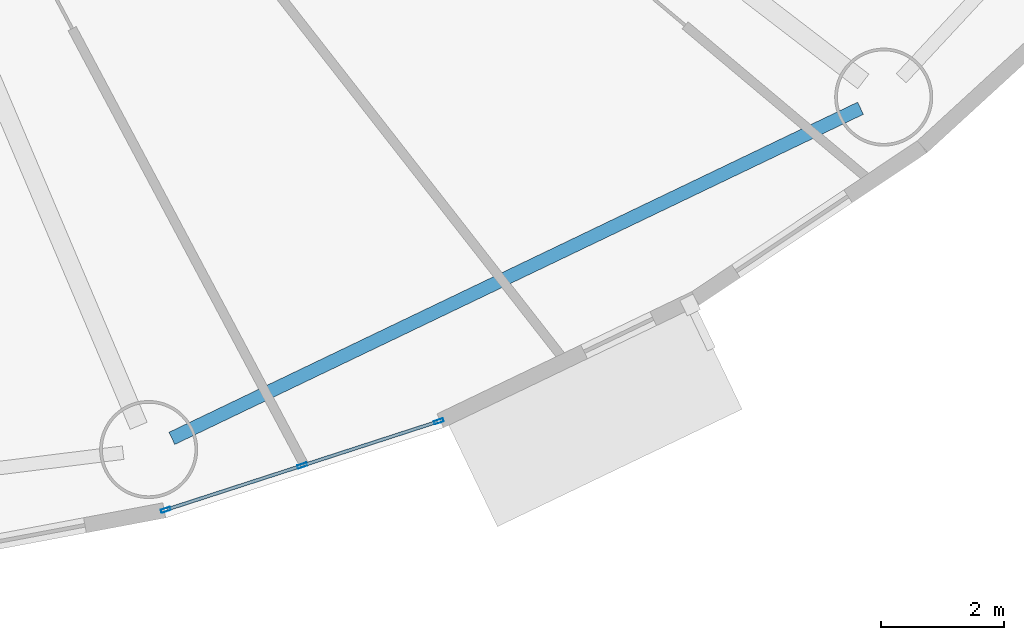
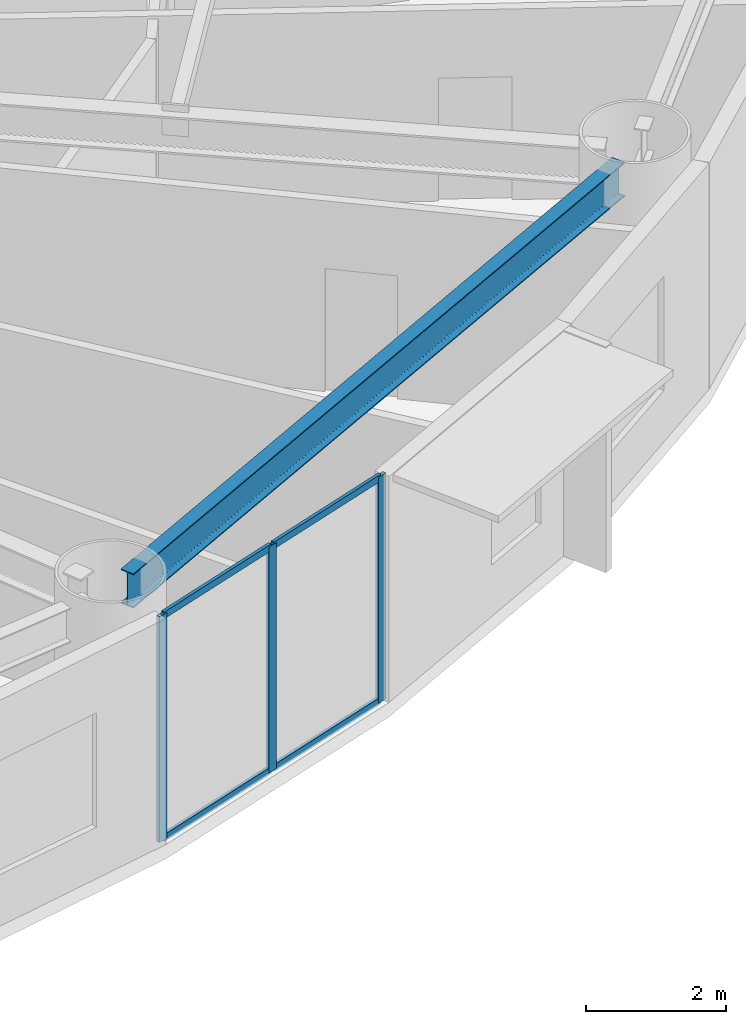
# One storey, part 6 of 32: 7 members, 1 beam, 1 element without a shape of its own.
"""IFC4 building model written with IfcOpenShell, lengths in metres."""

from ifc_helpers import new_model, si_unit, direction, frame, origin, origin_2d, place, context, subcontext, project, spatial, hollow_rectangle, i_section, extrude, source, transform, mapped, material, layer, layer_set, material_profile, profile_set, type_object, element, aggregate, save


model = new_model("IFC4")

# Units and contexts
model_context = context("Model", 3, precision=1e-05, world=origin(), true_north=direction((0.0, 1.0)))
body_context = subcontext(model_context, "Body", "Model", "MODEL_VIEW")
ifc_project = project(units=[si_unit("LENGTHUNIT", "METRE"), si_unit("AREAUNIT", "SQUARE_METRE"), si_unit("VOLUMEUNIT", "CUBIC_METRE"), si_unit("PLANEANGLEUNIT", "RADIAN"), si_unit("MASSUNIT", "GRAM", prefix="KILO")], contexts=[model_context])

# Site, building, storey
site_placement = place(None, origin())
site = spatial("IfcSite", under=ifc_project, at=site_placement, CompositionType="ELEMENT")
building_placement = place(site_placement, origin())
building = spatial("IfcBuilding", under=site, at=building_placement, Name="Linh Dai School and Residence Tower", CompositionType="ELEMENT")
storey_placement = place(building_placement, frame((0.0, 0.0, 53.39990234375)))
storey = spatial("IfcBuildingStorey", under=building, at=storey_placement, Name="L12", CompositionType="ELEMENT", Elevation=53.39990234375)

# Beam
ifc_material_1 = material(Name="Structural Steel S355JR", Category="steel")
ifc_material_profile_1 = material_profile(ifc_material_1, i_section(OverallWidth=0.219970703125, OverallDepth=0.60009765625, WebThickness=0.011962890625, FlangeThickness=0.01904296875, FilletRadius=0.02392578125, at=origin_2d()), Name="IPE 600")
ifc_profile_set_1 = profile_set([ifc_material_profile_1], Name="Structural Steel S355JR")
beam_type = type_object("IfcBeamType", Name="BM-RB60", PredefinedType="BEAM", material=ifc_profile_set_1)
beam_placement = place(storey_placement, frame((45.736572265625, 5.061767578125, 3.650146484375), z_axis=(0.901728693485, 0.432302398034, 0.0), x_axis=(-0.432302398034, 0.901728693485, 0.0)))
element("IfcBeam", 1, at=beam_placement, inside=storey, type_object=beam_type, Name="L12 Perimeter Elliptical Ring Beam 14", PredefinedType="BEAM", context=body_context, shape_type="SweptSolid", body=[
    extrude(i_section(OverallWidth=0.219970703125, OverallDepth=0.60009765625, WebThickness=0.011962890625, FlangeThickness=0.01904296875, FilletRadius=0.02392578125, at=origin_2d()), origin(), (0.0, 0.0, 1.0), 12.462158203125),
])

# Curtain wall, members
ifc_material_2 = material(Name="Aluminium Anodised Curtain Wall", Category="aluminium")
ifc_layer = layer(ifc_material_2, 0.159912109375)
ifc_layer_set = layer_set([ifc_layer], Name="Aluminium Anodised Curtain Wall")
curtain_wall_type = type_object("IfcCurtainWallType", Name="CW-SYS-3", PredefinedType="USERDEFINED", material=ifc_layer_set)
curtain_wall_placement = place(storey_placement, origin())
curtain_wall = element("IfcCurtainWall", 2, at=curtain_wall_placement, inside=storey, type_object=curtain_wall_type, Name="L12 CW3 Curtain Wall 33", ObjectType="RIBBON CURTAIN WALL", PredefinedType="USERDEFINED")
ifc_material_3 = material(Name="Aluminium Alloy 6063-T6", Category="aluminium")
ifc_material_profile_2 = material_profile(ifc_material_3, hollow_rectangle(XDim=0.054931640625, YDim=0.159912109375, WallThickness=0.00390625, at=origin_2d()), Name="RHS 160x55x4")
ifc_profile_set_2 = profile_set([ifc_material_profile_2], Name="Aluminium Alloy 6063-T6")
member_type_1 = type_object("IfcMemberType", Name="CW-SYS-3-MUL", PredefinedType="MULLION", material=ifc_profile_set_2)
shared_shape_1 = source(origin(), body_context, "Body", "SweptSolid", [
    extrude(hollow_rectangle(XDim=0.054931640625, YDim=0.159912109375, WallThickness=0.00390625, at=origin_2d()), origin(), (0.0, 0.0, 1.0), 3.9501953125),
])
member_1_placement = place(storey_placement, frame((50.092041015625, 5.34033203125, 0.0), z_axis=(0.0, 0.0, 1.0), x_axis=(0.308510993844, -0.951220777043, 0.0)))
member_1 = element("IfcMember", 3, at=member_1_placement, type_object=member_type_1, Name="CW3 mullion 1", PredefinedType="MULLION", context=body_context, shape_type="MappedRepresentation", body=[
    mapped(shared_shape_1, transform((0.0, 0.0, 0.0), x_axis=(1.0, 0.0, 0.0), y_axis=(0.0, 1.0, 0.0), z_axis=(0.0, 0.0, 1.0), scale=1.0)),
])
member_2_placement = place(storey_placement, frame((47.8642578125, 4.617919921875, 0.0), z_axis=(0.0, 0.0, 1.0), x_axis=(0.308510993844, -0.951220777043, 0.0)))
member_2 = element("IfcMember", 4, at=member_2_placement, type_object=member_type_1, Name="CW3 mullion 2", PredefinedType="MULLION", context=body_context, shape_type="MappedRepresentation", body=[
    mapped(shared_shape_1, transform((0.0, 0.0, 0.0), x_axis=(1.0, 0.0, 0.0), y_axis=(0.0, 1.0, 0.0), z_axis=(0.0, 0.0, 1.0), scale=1.0)),
])
member_3_placement = place(storey_placement, frame((45.63671875, 3.895263671875, 0.0), z_axis=(0.0, 0.0, 1.0), x_axis=(0.308510993844, -0.951220777043, 0.0)))
member_3 = element("IfcMember", 5, at=member_3_placement, type_object=member_type_1, Name="CW3 mullion 3", PredefinedType="MULLION", context=body_context, shape_type="MappedRepresentation", body=[
    mapped(shared_shape_1, transform((0.0, 0.0, 0.0), x_axis=(1.0, 0.0, 0.0), y_axis=(0.0, 1.0, 0.0), z_axis=(0.0, 0.0, 1.0), scale=1.0)),
])
ifc_material_profile_3 = material_profile(ifc_material_3, hollow_rectangle(XDim=0.054931640625, YDim=0.1201171875, WallThickness=0.00390625, at=origin_2d()), Name="RHS 120x55x4")
ifc_profile_set_3 = profile_set([ifc_material_profile_3], Name="Aluminium Alloy 6063-T6")
member_type_2 = type_object("IfcMemberType", Name="CW-SYS-3-TRN", PredefinedType="USERDEFINED", material=ifc_profile_set_3)
shared_shape_2 = source(origin(), body_context, "Body", "SweptSolid", [
    extrude(hollow_rectangle(XDim=0.054931640625, YDim=0.1201171875, WallThickness=0.00390625, at=origin_2d()), origin(), (0.0, 0.0, 1.0), 2.286865234375),
])
member_4_placement = place(storey_placement, frame((50.06591796875, 5.331787109375, 0.027587890625), z_axis=(-0.951214351328, -0.308530805313, 0.0), x_axis=(0.308530805313, -0.951214351328, 0.0)))
member_4 = element("IfcMember", 6, at=member_4_placement, type_object=member_type_2, Name="CW3 transom 1.1", ObjectType="TRANSOM", PredefinedType="USERDEFINED", context=body_context, shape_type="MappedRepresentation", body=[
    mapped(shared_shape_2, transform((0.0, 0.0, 0.0), x_axis=(1.0, 0.0, 0.0), y_axis=(0.0, 1.0, 0.0), z_axis=(0.0, 0.0, 1.0), scale=1.0)),
])
member_5_placement = place(storey_placement, frame((50.06591796875, 5.331787109375, 3.922607421875), z_axis=(-0.951214351328, -0.308530805313, 0.0), x_axis=(0.308530805313, -0.951214351328, 0.0)))
member_5 = element("IfcMember", 7, at=member_5_placement, type_object=member_type_2, Name="CW3 transom 1.2", ObjectType="TRANSOM", PredefinedType="USERDEFINED", context=body_context, shape_type="MappedRepresentation", body=[
    mapped(shared_shape_2, transform((0.0, 0.0, 0.0), x_axis=(1.0, 0.0, 0.0), y_axis=(0.0, 1.0, 0.0), z_axis=(0.0, 0.0, 1.0), scale=1.0)),
])
member_6_placement = place(storey_placement, frame((47.838134765625, 4.609375, 0.027587890625), z_axis=(-0.951214351328, -0.308530805313, 0.0), x_axis=(0.308530805313, -0.951214351328, 0.0)))
member_6 = element("IfcMember", 8, at=member_6_placement, type_object=member_type_2, Name="CW3 transom 2.1", ObjectType="TRANSOM", PredefinedType="USERDEFINED", context=body_context, shape_type="MappedRepresentation", body=[
    mapped(shared_shape_2, transform((0.0, 0.0, 0.0), x_axis=(1.0, 0.0, 0.0), y_axis=(0.0, 1.0, 0.0), z_axis=(0.0, 0.0, 1.0), scale=1.0)),
])
member_7_placement = place(storey_placement, frame((47.838134765625, 4.609375, 3.922607421875), z_axis=(-0.951214351328, -0.308530805313, 0.0), x_axis=(0.308530805313, -0.951214351328, 0.0)))
member_7 = element("IfcMember", 9, at=member_7_placement, type_object=member_type_2, Name="CW3 transom 2.2", ObjectType="TRANSOM", PredefinedType="USERDEFINED", context=body_context, shape_type="MappedRepresentation", body=[
    mapped(shared_shape_2, transform((0.0, 0.0, 0.0), x_axis=(1.0, 0.0, 0.0), y_axis=(0.0, 1.0, 0.0), z_axis=(0.0, 0.0, 1.0), scale=1.0)),
])
aggregate(curtain_wall, [member_1, member_2, member_3, member_4, member_5, member_6, member_7])

save(model, "model.ifc")
